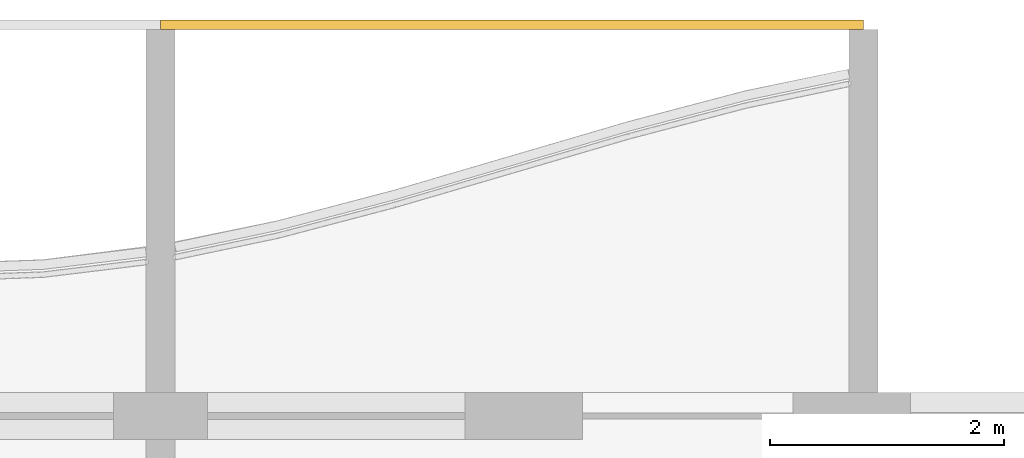
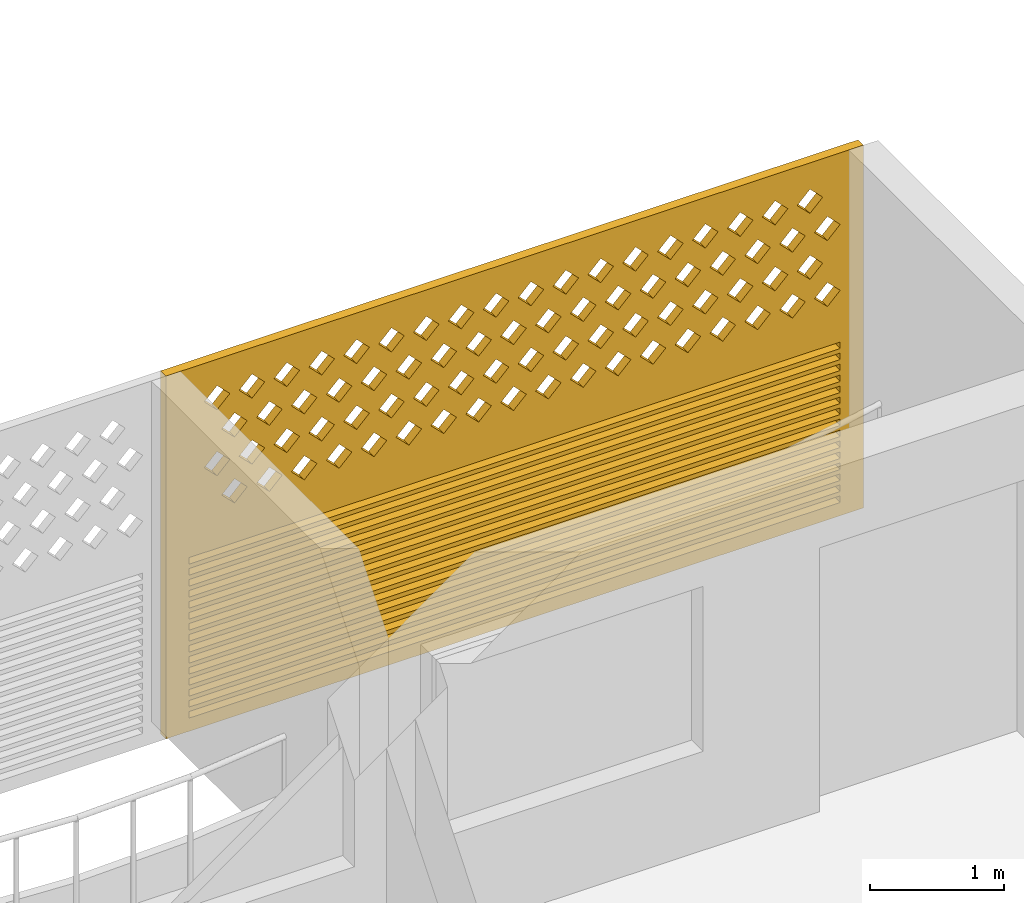
# One storey, part 18 of 26: 1 covering.
"""IFC4 building model written with IfcOpenShell, lengths in metres."""

from ifc_helpers import new_model, si_unit, direction, frame, origin, place, context, subcontext, project, spatial, polyline, outline, extrude, source, transform, mapped, material, material_profile, profile_set, type_object, element, save


model = new_model("IFC4")

# Units and contexts
model_context = context("Model", 3, precision=1e-05, world=origin(), true_north=direction((0.0, 1.0)))
body_context = subcontext(model_context, "Body", "Model", "MODEL_VIEW")
ifc_project = project(units=[si_unit("LENGTHUNIT", "METRE"), si_unit("AREAUNIT", "SQUARE_METRE"), si_unit("VOLUMEUNIT", "CUBIC_METRE"), si_unit("PLANEANGLEUNIT", "RADIAN"), si_unit("MASSUNIT", "GRAM", prefix="KILO")], contexts=[model_context])

# Site, building, storey
site_placement = place(None, origin())
site = spatial("IfcSite", under=ifc_project, at=site_placement, CompositionType="ELEMENT")
building_placement = place(site_placement, origin())
building = spatial("IfcBuilding", under=site, at=building_placement, Name="Poui Terraces", CompositionType="ELEMENT")
storey_placement = place(building_placement, frame((0.0, 0.0, 221.39990234375)))
storey = spatial("IfcBuildingStorey", under=building, at=storey_placement, Name="L61", CompositionType="ELEMENT", Elevation=221.39990234375)

# Covering
ifc_material = material(Name="Terracotta screen", Category="masonry")
ifc_material_profile = material_profile(ifc_material, outline(polyline([(-3.0, -1.64990234375), (3.0, -1.64990234375), (3.0, 1.64990234375), (-3.0, 1.64990234375), (-3.0, -1.64990234375)]), holes=[polyline([(-2.800048828125, 0.39990234375), (-2.68994140625, 0.2900390625), (-2.580078125, 0.39990234375), (-2.68994140625, 0.510009765625), (-2.800048828125, 0.39990234375)]), polyline([(-2.5, 0.39990234375), (-2.389892578125, 0.2900390625), (-2.280029296875, 0.39990234375), (-2.389892578125, 0.510009765625), (-2.5, 0.39990234375)]), polyline([(-2.199951171875, 0.39990234375), (-2.090087890625, 0.2900390625), (-1.97998046875, 0.39990234375), (-2.090087890625, 0.510009765625), (-2.199951171875, 0.39990234375)]), polyline([(-1.89990234375, 0.39990234375), (-1.7900390625, 0.2900390625), (-1.679931640625, 0.39990234375), (-1.7900390625, 0.510009765625), (-1.89990234375, 0.39990234375)]), polyline([(-1.60009765625, 0.39990234375), (-1.489990234375, 0.2900390625), (-1.3798828125, 0.39990234375), (-1.489990234375, 0.510009765625), (-1.60009765625, 0.39990234375)]), polyline([(-1.300048828125, 0.39990234375), (-1.18994140625, 0.2900390625), (-1.080078125, 0.39990234375), (-1.18994140625, 0.510009765625), (-1.300048828125, 0.39990234375)]), polyline([(-1.0, 0.39990234375), (-0.889892578125, 0.2900390625), (-0.780029296875, 0.39990234375), (-0.889892578125, 0.510009765625), (-1.0, 0.39990234375)]), polyline([(-0.699951171875, 0.39990234375), (-0.590087890625, 0.2900390625), (-0.47998046875, 0.39990234375), (-0.590087890625, 0.510009765625), (-0.699951171875, 0.39990234375)]), polyline([(-0.39990234375, 0.39990234375), (-0.2900390625, 0.2900390625), (-0.179931640625, 0.39990234375), (-0.2900390625, 0.510009765625), (-0.39990234375, 0.39990234375)]), polyline([(-0.10009765625, 0.39990234375), (0.010009765625, 0.2900390625), (0.1201171875, 0.39990234375), (0.010009765625, 0.510009765625), (-0.10009765625, 0.39990234375)]), polyline([(0.199951171875, 0.39990234375), (0.31005859375, 0.2900390625), (0.419921875, 0.39990234375), (0.31005859375, 0.510009765625), (0.199951171875, 0.39990234375)]), polyline([(0.5, 0.39990234375), (0.610107421875, 0.2900390625), (0.719970703125, 0.39990234375), (0.610107421875, 0.510009765625), (0.5, 0.39990234375)]), polyline([(0.800048828125, 0.39990234375), (0.909912109375, 0.2900390625), (1.02001953125, 0.39990234375), (0.909912109375, 0.510009765625), (0.800048828125, 0.39990234375)]), polyline([(1.10009765625, 0.39990234375), (1.2099609375, 0.2900390625), (1.320068359375, 0.39990234375), (1.2099609375, 0.510009765625), (1.10009765625, 0.39990234375)]), polyline([(1.39990234375, 0.39990234375), (1.510009765625, 0.2900390625), (1.6201171875, 0.39990234375), (1.510009765625, 0.510009765625), (1.39990234375, 0.39990234375)]), polyline([(1.699951171875, 0.39990234375), (1.81005859375, 0.2900390625), (1.919921875, 0.39990234375), (1.81005859375, 0.510009765625), (1.699951171875, 0.39990234375)]), polyline([(2.0, 0.39990234375), (2.110107421875, 0.2900390625), (2.219970703125, 0.39990234375), (2.110107421875, 0.510009765625), (2.0, 0.39990234375)]), polyline([(2.300048828125, 0.39990234375), (2.409912109375, 0.2900390625), (2.52001953125, 0.39990234375), (2.409912109375, 0.510009765625), (2.300048828125, 0.39990234375)]), polyline([(-2.64990234375, 0.699951171875), (-2.5400390625, 0.590087890625), (-2.429931640625, 0.699951171875), (-2.5400390625, 0.81005859375), (-2.64990234375, 0.699951171875)]), polyline([(-2.35009765625, 0.699951171875), (-2.239990234375, 0.590087890625), (-2.1298828125, 0.699951171875), (-2.239990234375, 0.81005859375), (-2.35009765625, 0.699951171875)]), polyline([(-2.050048828125, 0.699951171875), (-1.93994140625, 0.590087890625), (-1.830078125, 0.699951171875), (-1.93994140625, 0.81005859375), (-2.050048828125, 0.699951171875)]), polyline([(-1.75, 0.699951171875), (-1.639892578125, 0.590087890625), (-1.530029296875, 0.699951171875), (-1.639892578125, 0.81005859375), (-1.75, 0.699951171875)]), polyline([(-1.449951171875, 0.699951171875), (-1.340087890625, 0.590087890625), (-1.22998046875, 0.699951171875), (-1.340087890625, 0.81005859375), (-1.449951171875, 0.699951171875)]), polyline([(-1.14990234375, 0.699951171875), (-1.0400390625, 0.590087890625), (-0.929931640625, 0.699951171875), (-1.0400390625, 0.81005859375), (-1.14990234375, 0.699951171875)]), polyline([(-0.85009765625, 0.699951171875), (-0.739990234375, 0.590087890625), (-0.6298828125, 0.699951171875), (-0.739990234375, 0.81005859375), (-0.85009765625, 0.699951171875)]), polyline([(-0.550048828125, 0.699951171875), (-0.43994140625, 0.590087890625), (-0.330078125, 0.699951171875), (-0.43994140625, 0.81005859375), (-0.550048828125, 0.699951171875)]), polyline([(-0.25, 0.699951171875), (-0.139892578125, 0.590087890625), (-0.030029296875, 0.699951171875), (-0.139892578125, 0.81005859375), (-0.25, 0.699951171875)]), polyline([(0.050048828125, 0.699951171875), (0.159912109375, 0.590087890625), (0.27001953125, 0.699951171875), (0.159912109375, 0.81005859375), (0.050048828125, 0.699951171875)]), polyline([(0.35009765625, 0.699951171875), (0.4599609375, 0.590087890625), (0.570068359375, 0.699951171875), (0.4599609375, 0.81005859375), (0.35009765625, 0.699951171875)]), polyline([(0.64990234375, 0.699951171875), (0.760009765625, 0.590087890625), (0.8701171875, 0.699951171875), (0.760009765625, 0.81005859375), (0.64990234375, 0.699951171875)]), polyline([(0.949951171875, 0.699951171875), (1.06005859375, 0.590087890625), (1.169921875, 0.699951171875), (1.06005859375, 0.81005859375), (0.949951171875, 0.699951171875)]), polyline([(1.25, 0.699951171875), (1.360107421875, 0.590087890625), (1.469970703125, 0.699951171875), (1.360107421875, 0.81005859375), (1.25, 0.699951171875)]), polyline([(1.550048828125, 0.699951171875), (1.659912109375, 0.590087890625), (1.77001953125, 0.699951171875), (1.659912109375, 0.81005859375), (1.550048828125, 0.699951171875)]), polyline([(1.85009765625, 0.699951171875), (1.9599609375, 0.590087890625), (2.070068359375, 0.699951171875), (1.9599609375, 0.81005859375), (1.85009765625, 0.699951171875)]), polyline([(2.14990234375, 0.699951171875), (2.260009765625, 0.590087890625), (2.3701171875, 0.699951171875), (2.260009765625, 0.81005859375), (2.14990234375, 0.699951171875)]), polyline([(2.449951171875, 0.699951171875), (2.56005859375, 0.590087890625), (2.669921875, 0.699951171875), (2.56005859375, 0.81005859375), (2.449951171875, 0.699951171875)]), polyline([(-2.800048828125, 1.0), (-2.68994140625, 0.889892578125), (-2.580078125, 1.0), (-2.68994140625, 1.110107421875), (-2.800048828125, 1.0)]), polyline([(-2.5, 1.0), (-2.389892578125, 0.889892578125), (-2.280029296875, 1.0), (-2.389892578125, 1.110107421875), (-2.5, 1.0)]), polyline([(-2.199951171875, 1.0), (-2.090087890625, 0.889892578125), (-1.97998046875, 1.0), (-2.090087890625, 1.110107421875), (-2.199951171875, 1.0)]), polyline([(-1.89990234375, 1.0), (-1.7900390625, 0.889892578125), (-1.679931640625, 1.0), (-1.7900390625, 1.110107421875), (-1.89990234375, 1.0)]), polyline([(-1.60009765625, 1.0), (-1.489990234375, 0.889892578125), (-1.3798828125, 1.0), (-1.489990234375, 1.110107421875), (-1.60009765625, 1.0)]), polyline([(-1.300048828125, 1.0), (-1.18994140625, 0.889892578125), (-1.080078125, 1.0), (-1.18994140625, 1.110107421875), (-1.300048828125, 1.0)]), polyline([(-1.0, 1.0), (-0.889892578125, 0.889892578125), (-0.780029296875, 1.0), (-0.889892578125, 1.110107421875), (-1.0, 1.0)]), polyline([(-0.699951171875, 1.0), (-0.590087890625, 0.889892578125), (-0.47998046875, 1.0), (-0.590087890625, 1.110107421875), (-0.699951171875, 1.0)]), polyline([(-0.39990234375, 1.0), (-0.2900390625, 0.889892578125), (-0.179931640625, 1.0), (-0.2900390625, 1.110107421875), (-0.39990234375, 1.0)]), polyline([(-0.10009765625, 1.0), (0.010009765625, 0.889892578125), (0.1201171875, 1.0), (0.010009765625, 1.110107421875), (-0.10009765625, 1.0)]), polyline([(0.199951171875, 1.0), (0.31005859375, 0.889892578125), (0.419921875, 1.0), (0.31005859375, 1.110107421875), (0.199951171875, 1.0)]), polyline([(0.5, 1.0), (0.610107421875, 0.889892578125), (0.719970703125, 1.0), (0.610107421875, 1.110107421875), (0.5, 1.0)]), polyline([(0.800048828125, 1.0), (0.909912109375, 0.889892578125), (1.02001953125, 1.0), (0.909912109375, 1.110107421875), (0.800048828125, 1.0)]), polyline([(1.10009765625, 1.0), (1.2099609375, 0.889892578125), (1.320068359375, 1.0), (1.2099609375, 1.110107421875), (1.10009765625, 1.0)]), polyline([(1.39990234375, 1.0), (1.510009765625, 0.889892578125), (1.6201171875, 1.0), (1.510009765625, 1.110107421875), (1.39990234375, 1.0)]), polyline([(1.699951171875, 1.0), (1.81005859375, 0.889892578125), (1.919921875, 1.0), (1.81005859375, 1.110107421875), (1.699951171875, 1.0)]), polyline([(2.0, 1.0), (2.110107421875, 0.889892578125), (2.219970703125, 1.0), (2.110107421875, 1.110107421875), (2.0, 1.0)]), polyline([(2.300048828125, 1.0), (2.409912109375, 0.889892578125), (2.52001953125, 1.0), (2.409912109375, 1.110107421875), (2.300048828125, 1.0)]), polyline([(-2.64990234375, 1.300048828125), (-2.5400390625, 1.18994140625), (-2.429931640625, 1.300048828125), (-2.5400390625, 1.409912109375), (-2.64990234375, 1.300048828125)]), polyline([(-2.35009765625, 1.300048828125), (-2.239990234375, 1.18994140625), (-2.1298828125, 1.300048828125), (-2.239990234375, 1.409912109375), (-2.35009765625, 1.300048828125)]), polyline([(-2.050048828125, 1.300048828125), (-1.93994140625, 1.18994140625), (-1.830078125, 1.300048828125), (-1.93994140625, 1.409912109375), (-2.050048828125, 1.300048828125)]), polyline([(-1.75, 1.300048828125), (-1.639892578125, 1.18994140625), (-1.530029296875, 1.300048828125), (-1.639892578125, 1.409912109375), (-1.75, 1.300048828125)]), polyline([(-1.449951171875, 1.300048828125), (-1.340087890625, 1.18994140625), (-1.22998046875, 1.300048828125), (-1.340087890625, 1.409912109375), (-1.449951171875, 1.300048828125)]), polyline([(-1.14990234375, 1.300048828125), (-1.0400390625, 1.18994140625), (-0.929931640625, 1.300048828125), (-1.0400390625, 1.409912109375), (-1.14990234375, 1.300048828125)]), polyline([(-0.85009765625, 1.300048828125), (-0.739990234375, 1.18994140625), (-0.6298828125, 1.300048828125), (-0.739990234375, 1.409912109375), (-0.85009765625, 1.300048828125)]), polyline([(-0.550048828125, 1.300048828125), (-0.43994140625, 1.18994140625), (-0.330078125, 1.300048828125), (-0.43994140625, 1.409912109375), (-0.550048828125, 1.300048828125)]), polyline([(-0.25, 1.300048828125), (-0.139892578125, 1.18994140625), (-0.030029296875, 1.300048828125), (-0.139892578125, 1.409912109375), (-0.25, 1.300048828125)]), polyline([(0.050048828125, 1.300048828125), (0.159912109375, 1.18994140625), (0.27001953125, 1.300048828125), (0.159912109375, 1.409912109375), (0.050048828125, 1.300048828125)]), polyline([(0.35009765625, 1.300048828125), (0.4599609375, 1.18994140625), (0.570068359375, 1.300048828125), (0.4599609375, 1.409912109375), (0.35009765625, 1.300048828125)]), polyline([(0.64990234375, 1.300048828125), (0.760009765625, 1.18994140625), (0.8701171875, 1.300048828125), (0.760009765625, 1.409912109375), (0.64990234375, 1.300048828125)]), polyline([(0.949951171875, 1.300048828125), (1.06005859375, 1.18994140625), (1.169921875, 1.300048828125), (1.06005859375, 1.409912109375), (0.949951171875, 1.300048828125)]), polyline([(1.25, 1.300048828125), (1.360107421875, 1.18994140625), (1.469970703125, 1.300048828125), (1.360107421875, 1.409912109375), (1.25, 1.300048828125)]), polyline([(1.550048828125, 1.300048828125), (1.659912109375, 1.18994140625), (1.77001953125, 1.300048828125), (1.659912109375, 1.409912109375), (1.550048828125, 1.300048828125)]), polyline([(1.85009765625, 1.300048828125), (1.9599609375, 1.18994140625), (2.070068359375, 1.300048828125), (1.9599609375, 1.409912109375), (1.85009765625, 1.300048828125)]), polyline([(2.14990234375, 1.300048828125), (2.260009765625, 1.18994140625), (2.3701171875, 1.300048828125), (2.260009765625, 1.409912109375), (2.14990234375, 1.300048828125)]), polyline([(2.449951171875, 1.300048828125), (2.56005859375, 1.18994140625), (2.669921875, 1.300048828125), (2.56005859375, 1.409912109375), (2.449951171875, 1.300048828125)]), polyline([(-2.800048828125, -1.530029296875), (2.800048828125, -1.530029296875), (2.800048828125, -1.469970703125), (-2.800048828125, -1.469970703125), (-2.800048828125, -1.530029296875)]), polyline([(-2.800048828125, -1.429931640625), (2.800048828125, -1.429931640625), (2.800048828125, -1.3701171875), (-2.800048828125, -1.3701171875), (-2.800048828125, -1.429931640625)]), polyline([(-2.800048828125, -1.330078125), (2.800048828125, -1.330078125), (2.800048828125, -1.27001953125), (-2.800048828125, -1.27001953125), (-2.800048828125, -1.330078125)]), polyline([(-2.800048828125, -1.22998046875), (2.800048828125, -1.22998046875), (2.800048828125, -1.169921875), (-2.800048828125, -1.169921875), (-2.800048828125, -1.22998046875)]), polyline([(-2.800048828125, -1.1298828125), (2.800048828125, -1.1298828125), (2.800048828125, -1.070068359375), (-2.800048828125, -1.070068359375), (-2.800048828125, -1.1298828125)]), polyline([(-2.800048828125, -1.030029296875), (2.800048828125, -1.030029296875), (2.800048828125, -0.969970703125), (-2.800048828125, -0.969970703125), (-2.800048828125, -1.030029296875)]), polyline([(-2.800048828125, -0.929931640625), (2.800048828125, -0.929931640625), (2.800048828125, -0.8701171875), (-2.800048828125, -0.8701171875), (-2.800048828125, -0.929931640625)]), polyline([(-2.800048828125, -0.830078125), (2.800048828125, -0.830078125), (2.800048828125, -0.77001953125), (-2.800048828125, -0.77001953125), (-2.800048828125, -0.830078125)]), polyline([(-2.800048828125, -0.72998046875), (2.800048828125, -0.72998046875), (2.800048828125, -0.669921875), (-2.800048828125, -0.669921875), (-2.800048828125, -0.72998046875)]), polyline([(-2.800048828125, -0.6298828125), (2.800048828125, -0.6298828125), (2.800048828125, -0.570068359375), (-2.800048828125, -0.570068359375), (-2.800048828125, -0.6298828125)]), polyline([(-2.800048828125, -0.530029296875), (2.800048828125, -0.530029296875), (2.800048828125, -0.469970703125), (-2.800048828125, -0.469970703125), (-2.800048828125, -0.530029296875)]), polyline([(-2.800048828125, -0.429931640625), (2.800048828125, -0.429931640625), (2.800048828125, -0.3701171875), (-2.800048828125, -0.3701171875), (-2.800048828125, -0.429931640625)]), polyline([(-2.800048828125, -0.330078125), (2.800048828125, -0.330078125), (2.800048828125, -0.27001953125), (-2.800048828125, -0.27001953125), (-2.800048828125, -0.330078125)]), polyline([(-2.800048828125, -0.22998046875), (2.800048828125, -0.22998046875), (2.800048828125, -0.169921875), (-2.800048828125, -0.169921875), (-2.800048828125, -0.22998046875)]), polyline([(-2.800048828125, -0.1298828125), (2.800048828125, -0.1298828125), (2.800048828125, -0.070068359375), (-2.800048828125, -0.070068359375), (-2.800048828125, -0.1298828125)])]), Name="TERRACOTTA SCREEN AND JALOUSIE LOUVRE 6000X3300")
ifc_profile_set = profile_set([ifc_material_profile], Name="Terracotta screen")
covering_type = type_object("IfcCoveringType", Name="TERRACOTTA SCREEN AND JALOUSIE LOUVRE 6000X3300", PredefinedType="CLADDING", material=ifc_profile_set)
shared_shape = source(origin(), body_context, "Body", "SweptSolid", [
    extrude(outline(polyline([(-3.0, -1.64990234375), (3.0, -1.64990234375), (3.0, 1.64990234375), (-3.0, 1.64990234375), (-3.0, -1.64990234375)]), holes=[polyline([(-2.800048828125, 0.39990234375), (-2.68994140625, 0.2900390625), (-2.580078125, 0.39990234375), (-2.68994140625, 0.510009765625), (-2.800048828125, 0.39990234375)]), polyline([(-2.5, 0.39990234375), (-2.389892578125, 0.2900390625), (-2.280029296875, 0.39990234375), (-2.389892578125, 0.510009765625), (-2.5, 0.39990234375)]), polyline([(-2.199951171875, 0.39990234375), (-2.090087890625, 0.2900390625), (-1.97998046875, 0.39990234375), (-2.090087890625, 0.510009765625), (-2.199951171875, 0.39990234375)]), polyline([(-1.89990234375, 0.39990234375), (-1.7900390625, 0.2900390625), (-1.679931640625, 0.39990234375), (-1.7900390625, 0.510009765625), (-1.89990234375, 0.39990234375)]), polyline([(-1.60009765625, 0.39990234375), (-1.489990234375, 0.2900390625), (-1.3798828125, 0.39990234375), (-1.489990234375, 0.510009765625), (-1.60009765625, 0.39990234375)]), polyline([(-1.300048828125, 0.39990234375), (-1.18994140625, 0.2900390625), (-1.080078125, 0.39990234375), (-1.18994140625, 0.510009765625), (-1.300048828125, 0.39990234375)]), polyline([(-1.0, 0.39990234375), (-0.889892578125, 0.2900390625), (-0.780029296875, 0.39990234375), (-0.889892578125, 0.510009765625), (-1.0, 0.39990234375)]), polyline([(-0.699951171875, 0.39990234375), (-0.590087890625, 0.2900390625), (-0.47998046875, 0.39990234375), (-0.590087890625, 0.510009765625), (-0.699951171875, 0.39990234375)]), polyline([(-0.39990234375, 0.39990234375), (-0.2900390625, 0.2900390625), (-0.179931640625, 0.39990234375), (-0.2900390625, 0.510009765625), (-0.39990234375, 0.39990234375)]), polyline([(-0.10009765625, 0.39990234375), (0.010009765625, 0.2900390625), (0.1201171875, 0.39990234375), (0.010009765625, 0.510009765625), (-0.10009765625, 0.39990234375)]), polyline([(0.199951171875, 0.39990234375), (0.31005859375, 0.2900390625), (0.419921875, 0.39990234375), (0.31005859375, 0.510009765625), (0.199951171875, 0.39990234375)]), polyline([(0.5, 0.39990234375), (0.610107421875, 0.2900390625), (0.719970703125, 0.39990234375), (0.610107421875, 0.510009765625), (0.5, 0.39990234375)]), polyline([(0.800048828125, 0.39990234375), (0.909912109375, 0.2900390625), (1.02001953125, 0.39990234375), (0.909912109375, 0.510009765625), (0.800048828125, 0.39990234375)]), polyline([(1.10009765625, 0.39990234375), (1.2099609375, 0.2900390625), (1.320068359375, 0.39990234375), (1.2099609375, 0.510009765625), (1.10009765625, 0.39990234375)]), polyline([(1.39990234375, 0.39990234375), (1.510009765625, 0.2900390625), (1.6201171875, 0.39990234375), (1.510009765625, 0.510009765625), (1.39990234375, 0.39990234375)]), polyline([(1.699951171875, 0.39990234375), (1.81005859375, 0.2900390625), (1.919921875, 0.39990234375), (1.81005859375, 0.510009765625), (1.699951171875, 0.39990234375)]), polyline([(2.0, 0.39990234375), (2.110107421875, 0.2900390625), (2.219970703125, 0.39990234375), (2.110107421875, 0.510009765625), (2.0, 0.39990234375)]), polyline([(2.300048828125, 0.39990234375), (2.409912109375, 0.2900390625), (2.52001953125, 0.39990234375), (2.409912109375, 0.510009765625), (2.300048828125, 0.39990234375)]), polyline([(-2.64990234375, 0.699951171875), (-2.5400390625, 0.590087890625), (-2.429931640625, 0.699951171875), (-2.5400390625, 0.81005859375), (-2.64990234375, 0.699951171875)]), polyline([(-2.35009765625, 0.699951171875), (-2.239990234375, 0.590087890625), (-2.1298828125, 0.699951171875), (-2.239990234375, 0.81005859375), (-2.35009765625, 0.699951171875)]), polyline([(-2.050048828125, 0.699951171875), (-1.93994140625, 0.590087890625), (-1.830078125, 0.699951171875), (-1.93994140625, 0.81005859375), (-2.050048828125, 0.699951171875)]), polyline([(-1.75, 0.699951171875), (-1.639892578125, 0.590087890625), (-1.530029296875, 0.699951171875), (-1.639892578125, 0.81005859375), (-1.75, 0.699951171875)]), polyline([(-1.449951171875, 0.699951171875), (-1.340087890625, 0.590087890625), (-1.22998046875, 0.699951171875), (-1.340087890625, 0.81005859375), (-1.449951171875, 0.699951171875)]), polyline([(-1.14990234375, 0.699951171875), (-1.0400390625, 0.590087890625), (-0.929931640625, 0.699951171875), (-1.0400390625, 0.81005859375), (-1.14990234375, 0.699951171875)]), polyline([(-0.85009765625, 0.699951171875), (-0.739990234375, 0.590087890625), (-0.6298828125, 0.699951171875), (-0.739990234375, 0.81005859375), (-0.85009765625, 0.699951171875)]), polyline([(-0.550048828125, 0.699951171875), (-0.43994140625, 0.590087890625), (-0.330078125, 0.699951171875), (-0.43994140625, 0.81005859375), (-0.550048828125, 0.699951171875)]), polyline([(-0.25, 0.699951171875), (-0.139892578125, 0.590087890625), (-0.030029296875, 0.699951171875), (-0.139892578125, 0.81005859375), (-0.25, 0.699951171875)]), polyline([(0.050048828125, 0.699951171875), (0.159912109375, 0.590087890625), (0.27001953125, 0.699951171875), (0.159912109375, 0.81005859375), (0.050048828125, 0.699951171875)]), polyline([(0.35009765625, 0.699951171875), (0.4599609375, 0.590087890625), (0.570068359375, 0.699951171875), (0.4599609375, 0.81005859375), (0.35009765625, 0.699951171875)]), polyline([(0.64990234375, 0.699951171875), (0.760009765625, 0.590087890625), (0.8701171875, 0.699951171875), (0.760009765625, 0.81005859375), (0.64990234375, 0.699951171875)]), polyline([(0.949951171875, 0.699951171875), (1.06005859375, 0.590087890625), (1.169921875, 0.699951171875), (1.06005859375, 0.81005859375), (0.949951171875, 0.699951171875)]), polyline([(1.25, 0.699951171875), (1.360107421875, 0.590087890625), (1.469970703125, 0.699951171875), (1.360107421875, 0.81005859375), (1.25, 0.699951171875)]), polyline([(1.550048828125, 0.699951171875), (1.659912109375, 0.590087890625), (1.77001953125, 0.699951171875), (1.659912109375, 0.81005859375), (1.550048828125, 0.699951171875)]), polyline([(1.85009765625, 0.699951171875), (1.9599609375, 0.590087890625), (2.070068359375, 0.699951171875), (1.9599609375, 0.81005859375), (1.85009765625, 0.699951171875)]), polyline([(2.14990234375, 0.699951171875), (2.260009765625, 0.590087890625), (2.3701171875, 0.699951171875), (2.260009765625, 0.81005859375), (2.14990234375, 0.699951171875)]), polyline([(2.449951171875, 0.699951171875), (2.56005859375, 0.590087890625), (2.669921875, 0.699951171875), (2.56005859375, 0.81005859375), (2.449951171875, 0.699951171875)]), polyline([(-2.800048828125, 1.0), (-2.68994140625, 0.889892578125), (-2.580078125, 1.0), (-2.68994140625, 1.110107421875), (-2.800048828125, 1.0)]), polyline([(-2.5, 1.0), (-2.389892578125, 0.889892578125), (-2.280029296875, 1.0), (-2.389892578125, 1.110107421875), (-2.5, 1.0)]), polyline([(-2.199951171875, 1.0), (-2.090087890625, 0.889892578125), (-1.97998046875, 1.0), (-2.090087890625, 1.110107421875), (-2.199951171875, 1.0)]), polyline([(-1.89990234375, 1.0), (-1.7900390625, 0.889892578125), (-1.679931640625, 1.0), (-1.7900390625, 1.110107421875), (-1.89990234375, 1.0)]), polyline([(-1.60009765625, 1.0), (-1.489990234375, 0.889892578125), (-1.3798828125, 1.0), (-1.489990234375, 1.110107421875), (-1.60009765625, 1.0)]), polyline([(-1.300048828125, 1.0), (-1.18994140625, 0.889892578125), (-1.080078125, 1.0), (-1.18994140625, 1.110107421875), (-1.300048828125, 1.0)]), polyline([(-1.0, 1.0), (-0.889892578125, 0.889892578125), (-0.780029296875, 1.0), (-0.889892578125, 1.110107421875), (-1.0, 1.0)]), polyline([(-0.699951171875, 1.0), (-0.590087890625, 0.889892578125), (-0.47998046875, 1.0), (-0.590087890625, 1.110107421875), (-0.699951171875, 1.0)]), polyline([(-0.39990234375, 1.0), (-0.2900390625, 0.889892578125), (-0.179931640625, 1.0), (-0.2900390625, 1.110107421875), (-0.39990234375, 1.0)]), polyline([(-0.10009765625, 1.0), (0.010009765625, 0.889892578125), (0.1201171875, 1.0), (0.010009765625, 1.110107421875), (-0.10009765625, 1.0)]), polyline([(0.199951171875, 1.0), (0.31005859375, 0.889892578125), (0.419921875, 1.0), (0.31005859375, 1.110107421875), (0.199951171875, 1.0)]), polyline([(0.5, 1.0), (0.610107421875, 0.889892578125), (0.719970703125, 1.0), (0.610107421875, 1.110107421875), (0.5, 1.0)]), polyline([(0.800048828125, 1.0), (0.909912109375, 0.889892578125), (1.02001953125, 1.0), (0.909912109375, 1.110107421875), (0.800048828125, 1.0)]), polyline([(1.10009765625, 1.0), (1.2099609375, 0.889892578125), (1.320068359375, 1.0), (1.2099609375, 1.110107421875), (1.10009765625, 1.0)]), polyline([(1.39990234375, 1.0), (1.510009765625, 0.889892578125), (1.6201171875, 1.0), (1.510009765625, 1.110107421875), (1.39990234375, 1.0)]), polyline([(1.699951171875, 1.0), (1.81005859375, 0.889892578125), (1.919921875, 1.0), (1.81005859375, 1.110107421875), (1.699951171875, 1.0)]), polyline([(2.0, 1.0), (2.110107421875, 0.889892578125), (2.219970703125, 1.0), (2.110107421875, 1.110107421875), (2.0, 1.0)]), polyline([(2.300048828125, 1.0), (2.409912109375, 0.889892578125), (2.52001953125, 1.0), (2.409912109375, 1.110107421875), (2.300048828125, 1.0)]), polyline([(-2.64990234375, 1.300048828125), (-2.5400390625, 1.18994140625), (-2.429931640625, 1.300048828125), (-2.5400390625, 1.409912109375), (-2.64990234375, 1.300048828125)]), polyline([(-2.35009765625, 1.300048828125), (-2.239990234375, 1.18994140625), (-2.1298828125, 1.300048828125), (-2.239990234375, 1.409912109375), (-2.35009765625, 1.300048828125)]), polyline([(-2.050048828125, 1.300048828125), (-1.93994140625, 1.18994140625), (-1.830078125, 1.300048828125), (-1.93994140625, 1.409912109375), (-2.050048828125, 1.300048828125)]), polyline([(-1.75, 1.300048828125), (-1.639892578125, 1.18994140625), (-1.530029296875, 1.300048828125), (-1.639892578125, 1.409912109375), (-1.75, 1.300048828125)]), polyline([(-1.449951171875, 1.300048828125), (-1.340087890625, 1.18994140625), (-1.22998046875, 1.300048828125), (-1.340087890625, 1.409912109375), (-1.449951171875, 1.300048828125)]), polyline([(-1.14990234375, 1.300048828125), (-1.0400390625, 1.18994140625), (-0.929931640625, 1.300048828125), (-1.0400390625, 1.409912109375), (-1.14990234375, 1.300048828125)]), polyline([(-0.85009765625, 1.300048828125), (-0.739990234375, 1.18994140625), (-0.6298828125, 1.300048828125), (-0.739990234375, 1.409912109375), (-0.85009765625, 1.300048828125)]), polyline([(-0.550048828125, 1.300048828125), (-0.43994140625, 1.18994140625), (-0.330078125, 1.300048828125), (-0.43994140625, 1.409912109375), (-0.550048828125, 1.300048828125)]), polyline([(-0.25, 1.300048828125), (-0.139892578125, 1.18994140625), (-0.030029296875, 1.300048828125), (-0.139892578125, 1.409912109375), (-0.25, 1.300048828125)]), polyline([(0.050048828125, 1.300048828125), (0.159912109375, 1.18994140625), (0.27001953125, 1.300048828125), (0.159912109375, 1.409912109375), (0.050048828125, 1.300048828125)]), polyline([(0.35009765625, 1.300048828125), (0.4599609375, 1.18994140625), (0.570068359375, 1.300048828125), (0.4599609375, 1.409912109375), (0.35009765625, 1.300048828125)]), polyline([(0.64990234375, 1.300048828125), (0.760009765625, 1.18994140625), (0.8701171875, 1.300048828125), (0.760009765625, 1.409912109375), (0.64990234375, 1.300048828125)]), polyline([(0.949951171875, 1.300048828125), (1.06005859375, 1.18994140625), (1.169921875, 1.300048828125), (1.06005859375, 1.409912109375), (0.949951171875, 1.300048828125)]), polyline([(1.25, 1.300048828125), (1.360107421875, 1.18994140625), (1.469970703125, 1.300048828125), (1.360107421875, 1.409912109375), (1.25, 1.300048828125)]), polyline([(1.550048828125, 1.300048828125), (1.659912109375, 1.18994140625), (1.77001953125, 1.300048828125), (1.659912109375, 1.409912109375), (1.550048828125, 1.300048828125)]), polyline([(1.85009765625, 1.300048828125), (1.9599609375, 1.18994140625), (2.070068359375, 1.300048828125), (1.9599609375, 1.409912109375), (1.85009765625, 1.300048828125)]), polyline([(2.14990234375, 1.300048828125), (2.260009765625, 1.18994140625), (2.3701171875, 1.300048828125), (2.260009765625, 1.409912109375), (2.14990234375, 1.300048828125)]), polyline([(2.449951171875, 1.300048828125), (2.56005859375, 1.18994140625), (2.669921875, 1.300048828125), (2.56005859375, 1.409912109375), (2.449951171875, 1.300048828125)]), polyline([(-2.800048828125, -1.530029296875), (2.800048828125, -1.530029296875), (2.800048828125, -1.469970703125), (-2.800048828125, -1.469970703125), (-2.800048828125, -1.530029296875)]), polyline([(-2.800048828125, -1.429931640625), (2.800048828125, -1.429931640625), (2.800048828125, -1.3701171875), (-2.800048828125, -1.3701171875), (-2.800048828125, -1.429931640625)]), polyline([(-2.800048828125, -1.330078125), (2.800048828125, -1.330078125), (2.800048828125, -1.27001953125), (-2.800048828125, -1.27001953125), (-2.800048828125, -1.330078125)]), polyline([(-2.800048828125, -1.22998046875), (2.800048828125, -1.22998046875), (2.800048828125, -1.169921875), (-2.800048828125, -1.169921875), (-2.800048828125, -1.22998046875)]), polyline([(-2.800048828125, -1.1298828125), (2.800048828125, -1.1298828125), (2.800048828125, -1.070068359375), (-2.800048828125, -1.070068359375), (-2.800048828125, -1.1298828125)]), polyline([(-2.800048828125, -1.030029296875), (2.800048828125, -1.030029296875), (2.800048828125, -0.969970703125), (-2.800048828125, -0.969970703125), (-2.800048828125, -1.030029296875)]), polyline([(-2.800048828125, -0.929931640625), (2.800048828125, -0.929931640625), (2.800048828125, -0.8701171875), (-2.800048828125, -0.8701171875), (-2.800048828125, -0.929931640625)]), polyline([(-2.800048828125, -0.830078125), (2.800048828125, -0.830078125), (2.800048828125, -0.77001953125), (-2.800048828125, -0.77001953125), (-2.800048828125, -0.830078125)]), polyline([(-2.800048828125, -0.72998046875), (2.800048828125, -0.72998046875), (2.800048828125, -0.669921875), (-2.800048828125, -0.669921875), (-2.800048828125, -0.72998046875)]), polyline([(-2.800048828125, -0.6298828125), (2.800048828125, -0.6298828125), (2.800048828125, -0.570068359375), (-2.800048828125, -0.570068359375), (-2.800048828125, -0.6298828125)]), polyline([(-2.800048828125, -0.530029296875), (2.800048828125, -0.530029296875), (2.800048828125, -0.469970703125), (-2.800048828125, -0.469970703125), (-2.800048828125, -0.530029296875)]), polyline([(-2.800048828125, -0.429931640625), (2.800048828125, -0.429931640625), (2.800048828125, -0.3701171875), (-2.800048828125, -0.3701171875), (-2.800048828125, -0.429931640625)]), polyline([(-2.800048828125, -0.330078125), (2.800048828125, -0.330078125), (2.800048828125, -0.27001953125), (-2.800048828125, -0.27001953125), (-2.800048828125, -0.330078125)]), polyline([(-2.800048828125, -0.22998046875), (2.800048828125, -0.22998046875), (2.800048828125, -0.169921875), (-2.800048828125, -0.169921875), (-2.800048828125, -0.22998046875)]), polyline([(-2.800048828125, -0.1298828125), (2.800048828125, -0.1298828125), (2.800048828125, -0.070068359375), (-2.800048828125, -0.070068359375), (-2.800048828125, -0.1298828125)])]), origin(), (0.0, 0.0, 1.0), 0.080078125),
])
covering_placement = place(storey_placement, frame((39.0, 44.5, 1.4501953125), z_axis=(0.0, 1.0, 0.0), x_axis=(-1.0, 0.0, 0.0)))
element("IfcCovering", 1, at=covering_placement, inside=storey, type_object=covering_type, Name="SOLAR SCREEN AND JALOUSIE LOUVRE", PredefinedType="CLADDING", context=body_context, shape_type="MappedRepresentation", body=[
    mapped(shared_shape, transform((0.0, 0.0, 0.0))),
])

save(model, "model.ifc")
